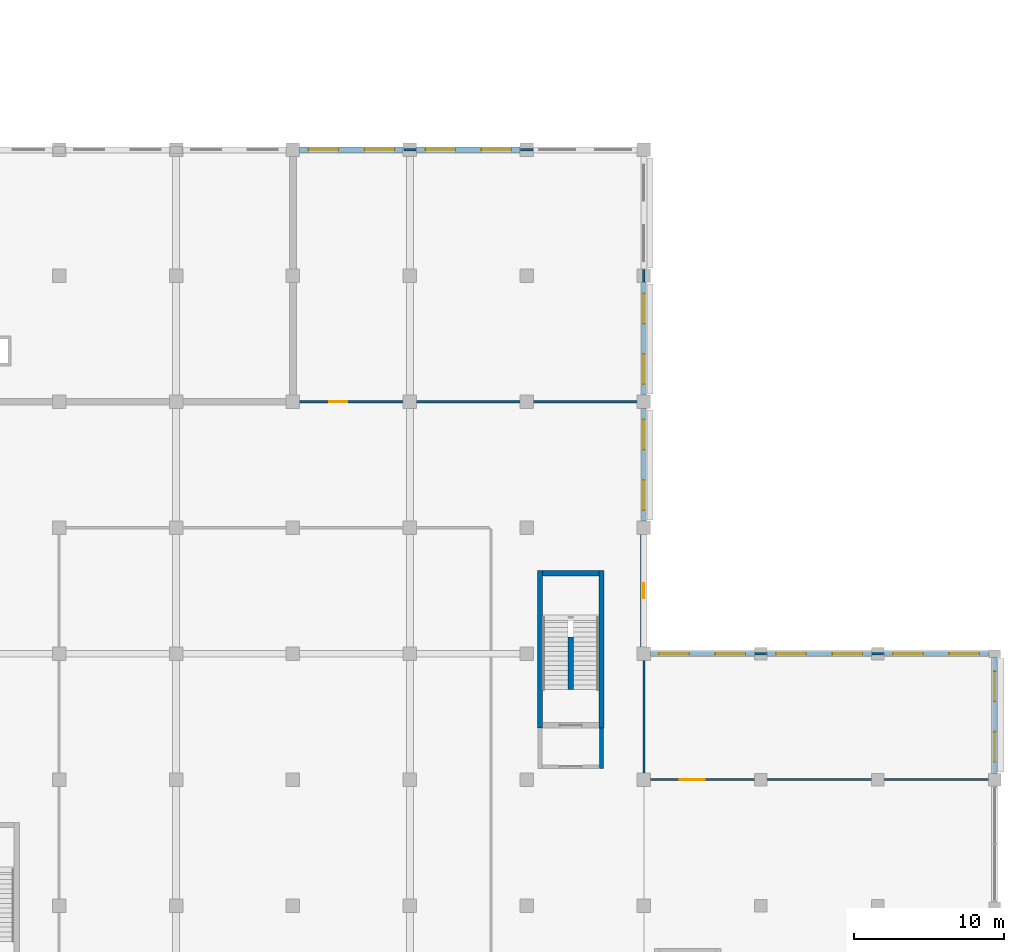
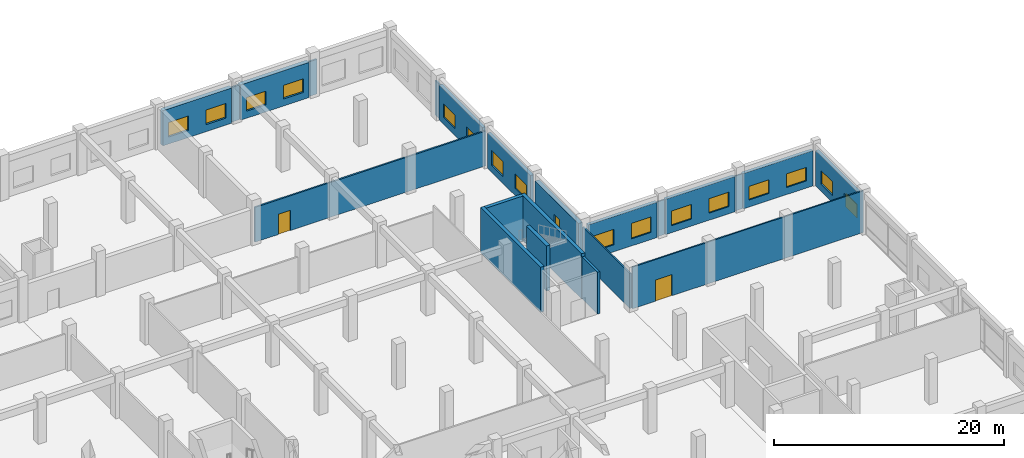
# One storey, part 65 of 79: 22 walls, 17 windows, 2 doors, 19 openings.
"""IFC4 building model written with IfcOpenShell, lengths in metres."""

from ifc_helpers import new_model, si_unit, direction, frame, frame_2d, origin, place, context, subcontext, project, spatial, rectangle, extrude, material, layer, layer_set, type_object, element, fill, save


model = new_model("IFC4")

# Units and contexts
model_context = context("Model", 3, precision=1e-05, world=origin(), true_north=direction((0.0, 1.0)))
body_context = subcontext(model_context, "Body", "Model", "MODEL_VIEW")
ifc_project = project(units=[si_unit("LENGTHUNIT", "METRE"), si_unit("AREAUNIT", "SQUARE_METRE"), si_unit("VOLUMEUNIT", "CUBIC_METRE"), si_unit("PLANEANGLEUNIT", "RADIAN"), si_unit("MASSUNIT", "GRAM", prefix="KILO"), si_unit("THERMODYNAMICTEMPERATUREUNIT", "KELVIN"), si_unit("POWERUNIT", "WATT")], contexts=[model_context])

# Site, building, storey
site_placement = place(None, origin())
site = spatial("IfcSite", under=ifc_project, at=site_placement, CompositionType="ELEMENT")
building_placement = place(site_placement, origin())
building = spatial("IfcBuilding", under=site, at=building_placement, Name="Srebrne Nadtorze General Hospital", CompositionType="ELEMENT")
storey_placement = place(building_placement, frame((0.0, 0.0, 4.800048828125)))
storey = spatial("IfcBuildingStorey", under=building, at=storey_placement, Name="L01", CompositionType="ELEMENT", Elevation=4.800048828125)

# Wall, openings, windows
ifc_material_1 = material(Name="Concrete C40/50", Category="concrete")
ifc_layer_1 = layer(ifc_material_1, 0.419921875)
ifc_layer_set_1 = layer_set([ifc_layer_1], Name="Concrete C40/50")
wall_type_1 = type_object("IfcWallType", Name="Acoustic buffer wall 420", PredefinedType="SOLIDWALL", material=ifc_layer_set_1)
wall_1_placement = place(storey_placement, frame((125.25, 109.199951171875, 0.0), z_axis=(0.0, 0.0, 1.0), x_axis=(1.0, 0.0, 0.0)))
wall_1 = element("IfcWall", 1, at=wall_1_placement, inside=storey, type_object=wall_type_1, Name="Exterior wall WL-ENV-L01-0175", PredefinedType="SOLIDWALL", context=body_context, shape_type="SweptSolid", body=[
    extrude(rectangle(XDim=6.89990234375, YDim=0.419921875, at=frame_2d((3.449951171875, 0.0))), origin(), (0.0, 0.0, 1.0), 3.75),
])
opening_1_placement = place(wall_1_placement, frame((0.577880859375, 0.0, 0.75)))
opening_1 = element("IfcOpeningElement", 2, at=opening_1_placement, cuts=wall_1, Name="Opening WN-L01-0170", PredefinedType="OPENING", context=body_context, shape_type="SweptSolid", body=[
    extrude(rectangle(XDim=2.0, YDim=1.550048828125, at=frame_2d((1.0, 0.77490234375))), frame((0.0, 0.221923828125, 0.0), z_axis=(0.0, -1.0, 0.0), x_axis=(1.0, 0.0, 0.0)), (0.0, 0.0, 1.0), 0.44384765625),
])
opening_2_placement = place(wall_1_placement, frame((4.322021484375, 0.0, 0.75)))
opening_2 = element("IfcOpeningElement", 3, at=opening_2_placement, cuts=wall_1, Name="Opening WN-L01-0171", PredefinedType="OPENING", context=body_context, shape_type="SweptSolid", body=[
    extrude(rectangle(XDim=2.0, YDim=1.550048828125, at=frame_2d((1.0, 0.77490234375))), frame((0.0, 0.221923828125, 0.0), z_axis=(0.0, -1.0, 0.0), x_axis=(1.0, 0.0, 0.0)), (0.0, 0.0, 1.0), 0.44384765625),
])
ifc_material_2 = material(Name="Triple Low-E Glazing", Category="glass")
window_type_1 = type_object("IfcWindowType", Name="Punched clinical window 2000x1550", PartitioningType="DOUBLE_PANEL_VERTICAL", PredefinedType="WINDOW", material=ifc_material_2)
window_1_placement = place(opening_1_placement, origin())
window_1 = element("IfcWindow", 4, at=window_1_placement, inside=storey, type_object=window_type_1, Name="Clinical window WN-L01-0170", OverallHeight=1.550048828125, OverallWidth=2.0, PartitioningType="DOUBLE_PANEL_VERTICAL", PredefinedType="WINDOW", context=body_context, shape_type="SweptSolid", body=[
    extrude(rectangle(XDim=2.0, YDim=1.550048828125, at=frame_2d((1.0, 0.77490234375))), frame((0.0, 0.030029296875, 0.0), z_axis=(0.0, -1.0, 0.0), x_axis=(1.0, 0.0, 0.0)), (0.0, 0.0, 1.0), 0.06005859375),
])
fill(opening_1, window_1)
window_2_placement = place(opening_2_placement, origin())
window_2 = element("IfcWindow", 5, at=window_2_placement, inside=storey, type_object=window_type_1, Name="Clinical window WN-L01-0171", OverallHeight=1.550048828125, OverallWidth=2.0, PartitioningType="DOUBLE_PANEL_VERTICAL", PredefinedType="WINDOW", context=body_context, shape_type="SweptSolid", body=[
    extrude(rectangle(XDim=2.0, YDim=1.550048828125, at=frame_2d((1.0, 0.77490234375))), frame((0.0, 0.030029296875, 0.0), z_axis=(0.0, -1.0, 0.0), x_axis=(1.0, 0.0, 0.0)), (0.0, 0.0, 1.0), 0.06005859375),
])
fill(opening_2, window_2)

wall_2_placement = place(storey_placement, frame((133.050048828125, 109.199951171875, 0.0), z_axis=(0.0, 0.0, 1.0), x_axis=(1.0, 0.0, 0.0)))
wall_2 = element("IfcWall", 6, at=wall_2_placement, inside=storey, type_object=wall_type_1, Name="Exterior wall WL-ENV-L01-0176", PredefinedType="SOLIDWALL", context=body_context, shape_type="SweptSolid", body=[
    extrude(rectangle(XDim=6.89990234375, YDim=0.419921875, at=frame_2d((3.449951171875, 0.0))), origin(), (0.0, 0.0, 1.0), 3.75),
])
opening_3_placement = place(wall_2_placement, frame((0.577880859375, 0.0, 0.75)))
opening_3 = element("IfcOpeningElement", 7, at=opening_3_placement, cuts=wall_2, Name="Opening WN-L01-0172", PredefinedType="OPENING", context=body_context, shape_type="SweptSolid", body=[
    extrude(rectangle(XDim=2.0, YDim=1.449951171875, at=frame_2d((1.0, 0.72509765625))), frame((0.0, 0.221923828125, 0.0), z_axis=(0.0, -1.0, 0.0), x_axis=(1.0, 0.0, 0.0)), (0.0, 0.0, 1.0), 0.44384765625),
])
opening_4_placement = place(wall_2_placement, frame((4.322021484375, 0.0, 0.75)))
opening_4 = element("IfcOpeningElement", 8, at=opening_4_placement, cuts=wall_2, Name="Opening WN-L01-0173", PredefinedType="OPENING", context=body_context, shape_type="SweptSolid", body=[
    extrude(rectangle(XDim=2.0, YDim=1.449951171875, at=frame_2d((1.0, 0.72509765625))), frame((0.0, 0.221923828125, 0.0), z_axis=(0.0, -1.0, 0.0), x_axis=(1.0, 0.0, 0.0)), (0.0, 0.0, 1.0), 0.44384765625),
])
ifc_material_3 = material(Name="Triple Low-E Glazing", Category="glass")
window_type_2 = type_object("IfcWindowType", Name="Punched clinical window 2000x1450", PartitioningType="DOUBLE_PANEL_VERTICAL", PredefinedType="WINDOW", material=ifc_material_3)
window_3_placement = place(opening_3_placement, origin())
window_3 = element("IfcWindow", 9, at=window_3_placement, inside=storey, type_object=window_type_2, Name="Clinical window WN-L01-0172", OverallHeight=1.449951171875, OverallWidth=2.0, PartitioningType="DOUBLE_PANEL_VERTICAL", PredefinedType="WINDOW", context=body_context, shape_type="SweptSolid", body=[
    extrude(rectangle(XDim=2.0, YDim=1.449951171875, at=frame_2d((1.0, 0.72509765625))), frame((0.0, 0.030029296875, 0.0), z_axis=(0.0, -1.0, 0.0), x_axis=(1.0, 0.0, 0.0)), (0.0, 0.0, 1.0), 0.06005859375),
])
fill(opening_3, window_3)
window_4_placement = place(opening_4_placement, origin())
window_4 = element("IfcWindow", 10, at=window_4_placement, inside=storey, type_object=window_type_2, Name="Clinical window WN-L01-0173", OverallHeight=1.449951171875, OverallWidth=2.0, PartitioningType="DOUBLE_PANEL_VERTICAL", PredefinedType="WINDOW", context=body_context, shape_type="SweptSolid", body=[
    extrude(rectangle(XDim=2.0, YDim=1.449951171875, at=frame_2d((1.0, 0.72509765625))), frame((0.0, 0.030029296875, 0.0), z_axis=(0.0, -1.0, 0.0), x_axis=(1.0, 0.0, 0.0)), (0.0, 0.0, 1.0), 0.06005859375),
])
fill(opening_4, window_4)

# Wall, opening, window
wall_3_placement = place(storey_placement, frame((148.199951171875, 76.050048828125, 0.0), z_axis=(0.0, 0.0, 1.0), x_axis=(0.0, 1.0, 0.0)))
wall_3 = element("IfcWall", 11, at=wall_3_placement, inside=storey, type_object=wall_type_1, Name="Exterior wall WL-ENV-L01-0207", PredefinedType="SOLIDWALL", context=body_context, shape_type="SweptSolid", body=[
    extrude(rectangle(XDim=7.5, YDim=0.419921875, at=frame_2d((3.75, 0.0))), origin(), (0.0, 0.0, 1.0), 3.75),
])
opening_5_placement = place(wall_3_placement, frame((3.25, 0.0, 0.75)))
opening_5 = element("IfcOpeningElement", 12, at=opening_5_placement, cuts=wall_3, Name="Opening WN-L01-0237", PredefinedType="OPENING", context=body_context, shape_type="SweptSolid", body=[
    extrude(rectangle(XDim=1.0, YDim=1.449951171875, at=frame_2d((0.5, 0.72509765625))), frame((0.0, 0.221923828125, 0.0), z_axis=(0.0, -1.0, 0.0), x_axis=(1.0, 0.0, 0.0)), (0.0, 0.0, 1.0), 0.44384765625),
])
ifc_material_4 = material(Name="Triple Low-E Glazing", Category="glass")
window_type_3 = type_object("IfcWindowType", Name="Punched clinical window 1000x1450", PartitioningType="SINGLE_PANEL", PredefinedType="WINDOW", material=ifc_material_4)
window_5_placement = place(opening_5_placement, origin())
window_5 = element("IfcWindow", 13, at=window_5_placement, inside=storey, type_object=window_type_3, Name="Clinical window WN-L01-0237", OverallHeight=1.449951171875, OverallWidth=1.0, PartitioningType="SINGLE_PANEL", PredefinedType="WINDOW", context=body_context, shape_type="SweptSolid", body=[
    extrude(rectangle(XDim=1.0, YDim=1.449951171875, at=frame_2d((0.5, 0.72509765625))), frame((0.0, 0.030029296875, 0.0), z_axis=(0.0, -1.0, 0.0), x_axis=(1.0, 0.0, 0.0)), (0.0, 0.0, 1.0), 0.06005859375),
])
fill(opening_5, window_5)

# Wall, opening, door
ifc_material_5 = material(Name="Gypsum Healthcare Partition")
ifc_layer_2 = layer(ifc_material_5, 0.139892578125)
ifc_layer_set_2 = layer_set([ifc_layer_2], Name="Gypsum Healthcare Partition")
wall_type_2 = type_object("IfcWallType", Name="Clinical partition 140", PredefinedType="PARTITIONING", material=ifc_layer_set_2)
wall_4_placement = place(storey_placement, frame((148.284912109375, 67.199951171875, 0.0), z_axis=(0.0, 0.0, 1.0), x_axis=(1.0, 0.0, 0.0)))
wall_4 = element("IfcWall", 14, at=wall_4_placement, inside=storey, type_object=wall_type_2, Name="Bronchoscopy Procedure Suite wall WL-INT-L01-1461", PredefinedType="PARTITIONING", context=body_context, shape_type="SweptSolid", body=[
    extrude(rectangle(XDim=23.22998046875, YDim=0.139892578125, at=frame_2d((11.614990234375, 0.0))), origin(), (0.0, 0.0, 1.0), 4.429931640625),
])
opening_6_placement = place(wall_4_placement, frame((2.323486328125, 0.0, 0.0)))
opening_6 = element("IfcOpeningElement", 15, at=opening_6_placement, cuts=wall_4, Name="Opening D-L01-0230", PredefinedType="OPENING", context=body_context, shape_type="SweptSolid", body=[
    extrude(rectangle(XDim=1.64990234375, YDim=2.25, at=frame_2d((0.824951171875, 1.125))), frame((0.0, 0.08203125, 0.0), z_axis=(0.0, -1.0, 0.0), x_axis=(1.0, 0.0, 0.0)), (0.0, 0.0, 1.0), 0.163818359375),
])
ifc_material_6 = material(Name="Anodised Aluminium", Category="aluminium")
door_type_1 = type_object("IfcDoorType", Name="Double leaf door 1650x2250", OperationType="DOUBLE_DOOR_SINGLE_SWING", PredefinedType="DOOR", material=ifc_material_6)
door_1_placement = place(opening_6_placement, origin())
door_1 = element("IfcDoor", 16, at=door_1_placement, inside=storey, type_object=door_type_1, Name="Bronchoscopy Procedure Suite door D-L01-0230", OperationType="DOUBLE_DOOR_SINGLE_SWING", OverallHeight=2.25, OverallWidth=1.64990234375, PredefinedType="DOOR", context=body_context, shape_type="SweptSolid", body=[
    extrude(rectangle(XDim=1.64990234375, YDim=2.25, at=frame_2d((0.824951171875, 1.125))), frame((0.0, 0.02490234375, 0.0), z_axis=(0.0, -1.0, 0.0), x_axis=(1.0, 0.0, 0.0)), (0.0, 0.0, 1.0), 0.050048828125),
])
fill(opening_6, door_1)

# Walls
for number, where, z_axis, x_axis, name in (
    (17, (155.614990234375, 75.60009765625, 0.0), (0.0, 0.0, 1.0), (1.0, 0.0, 0.0), "Bronchoscopy Procedure Suite wall WL-INT-L01-1462"),
    (18, (163.4150390625, 75.60009765625, 0.0), (0.0, 0.0, 1.0), (1.0, 0.0, 0.0), "Bronchoscopy Procedure Suite wall WL-INT-L01-1463"),
):
    element("IfcWall", number, at=place(storey_placement, frame(where, z_axis=z_axis, x_axis=x_axis)), inside=storey, type_object=wall_type_2, Name=name, PredefinedType="PARTITIONING", context=body_context, shape_type="SweptSolid", body=[
        extrude(rectangle(XDim=0.77001953125, YDim=0.139892578125, at=frame_2d((0.385009765625, 0.0))), origin(), (0.0, 0.0, 1.0), 3.699951171875),
    ])
wall_5_placement = place(storey_placement, frame((148.199951171875, 67.284912109375, 0.0), z_axis=(0.0, 0.0, 1.0), x_axis=(0.0, 1.0, 0.0)))
element("IfcWall", 19, at=wall_5_placement, inside=storey, type_object=wall_type_2, Name="Bronchoscopy Procedure Suite wall WL-INT-L01-1464", PredefinedType="PARTITIONING", context=body_context, shape_type="SweptSolid", body=[
    extrude(rectangle(XDim=8.22998046875, YDim=0.139892578125, at=frame_2d((4.114990234375, 0.0))), origin(), (0.0, 0.0, 1.0), 3.699951171875),
])

# Wall, opening, door
ifc_material_7 = material(Name="Gypsum Healthcare Partition")
ifc_layer_3 = layer(ifc_material_7, 0.159912109375)
ifc_layer_set_3 = layer_set([ifc_layer_3], Name="Gypsum Healthcare Partition")
wall_type_3 = type_object("IfcWallType", Name="Clinical partition 160", PredefinedType="PARTITIONING", material=ifc_layer_set_3)
wall_6_placement = place(storey_placement, frame((124.885009765625, 92.39990234375, 0.0), z_axis=(0.0, 0.0, 1.0), x_axis=(1.0, 0.0, 0.0)))
wall_6 = element("IfcWall", 20, at=wall_6_placement, inside=storey, type_object=wall_type_3, Name="Diagnostic Imaging Ultrasound wall WL-INT-L01-1431", PredefinedType="PARTITIONING", context=body_context, shape_type="SweptSolid", body=[
    extrude(rectangle(XDim=23.22998046875, YDim=0.159912109375, at=frame_2d((11.614990234375, 0.0))), origin(), (0.0, 0.0, 1.0), 3.699951171875),
])
opening_7_placement = place(wall_6_placement, frame((2.33837890625, 0.0, 0.0)))
opening_7 = element("IfcOpeningElement", 21, at=opening_7_placement, cuts=wall_6, Name="Opening D-L01-0223", PredefinedType="OPENING", context=body_context, shape_type="SweptSolid", body=[
    extrude(rectangle(XDim=1.199951171875, YDim=2.14990234375, at=frame_2d((0.60009765625, 1.074951171875))), frame((0.0, 0.091796875, 0.0), z_axis=(0.0, -1.0, 0.0), x_axis=(1.0, 0.0, 0.0)), (0.0, 0.0, 1.0), 0.183837890625),
])
ifc_material_8 = material(Name="Anodised Aluminium", Category="aluminium")
door_type_2 = type_object("IfcDoorType", Name="Single leaf door 1200x2150", OperationType="NOTDEFINED", PredefinedType="DOOR", material=ifc_material_8)
door_2_placement = place(opening_7_placement, origin())
door_2 = element("IfcDoor", 22, at=door_2_placement, inside=storey, type_object=door_type_2, Name="Diagnostic Imaging Ultrasound door D-L01-0223", OperationType="SINGLE_SWING_LEFT", OverallHeight=2.14990234375, OverallWidth=1.199951171875, PredefinedType="DOOR", context=body_context, shape_type="SweptSolid", body=[
    extrude(rectangle(XDim=1.199951171875, YDim=2.14990234375, at=frame_2d((0.60009765625, 1.074951171875))), frame((0.0, 0.02490234375, 0.0), z_axis=(0.0, -1.0, 0.0), x_axis=(1.0, 0.0, 0.0)), (0.0, 0.0, 1.0), 0.050048828125),
])
fill(opening_7, door_2)

# Walls
for number, where, z_axis, x_axis, name in (
    (23, (132.18994140625, 109.199951171875, 0.0), (0.0, 0.0, 1.0), (1.0, 0.0, 0.0), "Diagnostic Imaging Ultrasound wall WL-INT-L01-1432"),
    (24, (139.989990234375, 109.199951171875, 0.0), (0.0, 0.0, 1.0), (1.0, 0.0, 0.0), "Diagnostic Imaging Ultrasound wall WL-INT-L01-1433"),
    (25, (148.199951171875, 100.389892578125, 0.0), (0.0, 0.0, 1.0), (0.0, 1.0, 0.0), "Diagnostic Imaging Ultrasound wall WL-INT-L01-1434"),
):
    element("IfcWall", number, at=place(storey_placement, frame(where, z_axis=z_axis, x_axis=x_axis)), inside=storey, type_object=wall_type_3, Name=name, PredefinedType="PARTITIONING", context=body_context, shape_type="SweptSolid", body=[
        extrude(rectangle(XDim=0.820068359375, YDim=0.159912109375, at=frame_2d((0.41015625, 0.0))), origin(), (0.0, 0.0, 1.0), 3.699951171875),
    ])
ifc_material_9 = material(Name="Gypsum Healthcare Partition")
ifc_layer_4 = layer(ifc_material_9, 0.239990234375)
ifc_layer_set_4 = layer_set([ifc_layer_4], Name="Gypsum Healthcare Partition")
wall_type_4 = type_object("IfcWallType", Name="Corridor fire wall 240", PredefinedType="STANDARD", material=ifc_layer_set_4)
wall_7_placement = place(storey_placement, frame((145.375, 67.955078125, 0.0), z_axis=(0.0, 0.0, 1.0), x_axis=(0.0, 1.0, 0.0)))
element("IfcWall", 26, at=wall_7_placement, inside=storey, type_object=wall_type_4, Name="Fire lobby wall ST-04 WL-INT-L01-0158", PredefinedType="STANDARD", context=body_context, shape_type="SweptSolid", body=[
    extrude(rectangle(XDim=2.69482421875, YDim=0.239990234375, at=frame_2d((1.347412109375, 0.0))), origin(), (0.0, 0.0, 1.0), 4.449951171875),
])
ifc_material_10 = material(Name="Concrete C40/50", Category="concrete")
ifc_layer_5 = layer(ifc_material_10, 0.35009765625)
ifc_layer_set_5 = layer_set([ifc_layer_5], Name="Concrete C40/50")
wall_type_5 = type_object("IfcWallType", Name="Shear core wall 350", PredefinedType="SHEAR", material=ifc_layer_set_5)
for number, where, z_axis, x_axis, name in (
    (27, (141.27490234375, 70.64990234375, 0.0), (0.0, 0.0, 1.0), (0.0, 1.0, 0.0), "Stair core wall ST-04 WL-INT-L01-0153"),
    (28, (145.375, 70.64990234375, 0.0), (0.0, 0.0, 1.0), (0.0, 1.0, 0.0), "Stair core wall ST-04 WL-INT-L01-0154"),
):
    element("IfcWall", number, at=place(storey_placement, frame(where, z_axis=z_axis, x_axis=x_axis)), inside=storey, type_object=wall_type_5, Name=name, PredefinedType="SHEAR", context=body_context, shape_type="SweptSolid", body=[
        extrude(rectangle(XDim=10.5, YDim=0.35009765625, at=frame_2d((5.25, 0.0))), origin(), (0.0, 0.0, 1.0), 4.800048828125),
    ])
wall_8_placement = place(storey_placement, frame((141.449951171875, 80.97509765625, 0.0), z_axis=(0.0, 0.0, 1.0), x_axis=(1.0, 0.0, 0.0)))
element("IfcWall", 29, at=wall_8_placement, inside=storey, type_object=wall_type_5, Name="Stair core wall ST-04 WL-INT-L01-0155", PredefinedType="SHEAR", context=body_context, shape_type="SweptSolid", body=[
    extrude(rectangle(XDim=3.75, YDim=0.35009765625, at=frame_2d((1.875, 0.0))), origin(), (0.0, 0.0, 1.0), 4.800048828125),
])
wall_9_placement = place(storey_placement, frame((143.324951171875, 73.199951171875, 0.0), z_axis=(0.0, 0.0, 1.0), x_axis=(0.0, 1.0, 0.0)))
element("IfcWall", 30, at=wall_9_placement, inside=storey, type_object=wall_type_5, Name="Stair spine wall ST-04 WL-INT-L01-0160", PredefinedType="SHEAR", context=body_context, shape_type="SweptSolid", body=[
    extrude(rectangle(XDim=3.52001953125, YDim=0.35009765625, at=frame_2d((1.760009765625, 0.0))), origin(), (0.0, 0.0, 1.0), 4.800048828125),
])

# Wall, openings, windows
ifc_material_11 = material(Name="Concrete C35/45", Category="concrete")
ifc_layer_6 = layer(ifc_material_11, 0.320068359375)
ifc_layer_set_6 = layer_set([ifc_layer_6], Name="Concrete C35/45")
wall_type_6 = type_object("IfcWallType", Name="Spandrel wall 320", PredefinedType="STANDARD", material=ifc_layer_set_6)
wall_10_placement = place(storey_placement, frame((148.64990234375, 75.60009765625, 0.0), z_axis=(0.0, 0.0, 1.0), x_axis=(1.0, 0.0, 0.0)))
wall_10 = element("IfcWall", 31, at=wall_10_placement, inside=storey, type_object=wall_type_6, Name="Exterior wall WL-ENV-L01-0162", PredefinedType="STANDARD", context=body_context, shape_type="SweptSolid", body=[
    extrude(rectangle(XDim=6.925048828125, YDim=0.320068359375, at=frame_2d((3.46240234375, 0.0))), origin(), (0.0, 0.0, 1.0), 3.75),
])
opening_8_placement = place(wall_10_placement, frame((0.577880859375, 0.0, 0.75)))
opening_8 = element("IfcOpeningElement", 32, at=opening_8_placement, cuts=wall_10, Name="Opening WN-L01-0144", PredefinedType="OPENING", context=body_context, shape_type="SweptSolid", body=[
    extrude(rectangle(XDim=2.0, YDim=1.64990234375, at=frame_2d((1.0, 0.824951171875))), frame((0.0, 0.171875, 0.0), z_axis=(0.0, -1.0, 0.0), x_axis=(1.0, 0.0, 0.0)), (0.0, 0.0, 1.0), 0.343994140625),
])
opening_9_placement = place(wall_10_placement, frame((4.322021484375, 0.0, 0.75)))
opening_9 = element("IfcOpeningElement", 33, at=opening_9_placement, cuts=wall_10, Name="Opening WN-L01-0145", PredefinedType="OPENING", context=body_context, shape_type="SweptSolid", body=[
    extrude(rectangle(XDim=2.0, YDim=1.64990234375, at=frame_2d((1.0, 0.824951171875))), frame((0.0, 0.171875, 0.0), z_axis=(0.0, -1.0, 0.0), x_axis=(1.0, 0.0, 0.0)), (0.0, 0.0, 1.0), 0.343994140625),
])
ifc_material_12 = material(Name="Triple Low-E Glazing", Category="glass")
window_type_4 = type_object("IfcWindowType", Name="Punched clinical window 2000x1650", PartitioningType="DOUBLE_PANEL_VERTICAL", PredefinedType="WINDOW", material=ifc_material_12)
window_6_placement = place(opening_8_placement, origin())
window_6 = element("IfcWindow", 34, at=window_6_placement, inside=storey, type_object=window_type_4, Name="Clinical window WN-L01-0144", OverallHeight=1.64990234375, OverallWidth=2.0, PartitioningType="DOUBLE_PANEL_VERTICAL", PredefinedType="WINDOW", context=body_context, shape_type="SweptSolid", body=[
    extrude(rectangle(XDim=2.0, YDim=1.64990234375, at=frame_2d((1.0, 0.824951171875))), frame((0.0, 0.030029296875, 0.0), z_axis=(0.0, -1.0, 0.0), x_axis=(1.0, 0.0, 0.0)), (0.0, 0.0, 1.0), 0.06005859375),
])
fill(opening_8, window_6)
window_7_placement = place(opening_9_placement, origin())
window_7 = element("IfcWindow", 35, at=window_7_placement, inside=storey, type_object=window_type_4, Name="Clinical window WN-L01-0145", OverallHeight=1.64990234375, OverallWidth=2.0, PartitioningType="DOUBLE_PANEL_VERTICAL", PredefinedType="WINDOW", context=body_context, shape_type="SweptSolid", body=[
    extrude(rectangle(XDim=2.0, YDim=1.64990234375, at=frame_2d((1.0, 0.824951171875))), frame((0.0, 0.030029296875, 0.0), z_axis=(0.0, -1.0, 0.0), x_axis=(1.0, 0.0, 0.0)), (0.0, 0.0, 1.0), 0.06005859375),
])
fill(opening_9, window_7)

wall_11_placement = place(storey_placement, frame((156.425048828125, 75.60009765625, 0.0), z_axis=(0.0, 0.0, 1.0), x_axis=(1.0, 0.0, 0.0)))
wall_11 = element("IfcWall", 36, at=wall_11_placement, inside=storey, type_object=wall_type_6, Name="Exterior wall WL-ENV-L01-0163", PredefinedType="STANDARD", context=body_context, shape_type="SweptSolid", body=[
    extrude(rectangle(XDim=6.949951171875, YDim=0.320068359375, at=frame_2d((3.47509765625, 0.0))), origin(), (0.0, 0.0, 1.0), 3.75),
])
opening_10_placement = place(wall_11_placement, frame((0.60302734375, 0.0, 0.75)))
opening_10 = element("IfcOpeningElement", 37, at=opening_10_placement, cuts=wall_11, Name="Opening WN-L01-0146", PredefinedType="OPENING", context=body_context, shape_type="SweptSolid", body=[
    extrude(rectangle(XDim=2.0, YDim=1.550048828125, at=frame_2d((1.0, 0.77490234375))), frame((0.0, 0.171875, 0.0), z_axis=(0.0, -1.0, 0.0), x_axis=(1.0, 0.0, 0.0)), (0.0, 0.0, 1.0), 0.343994140625),
])
opening_11_placement = place(wall_11_placement, frame((4.346923828125, 0.0, 0.75)))
opening_11 = element("IfcOpeningElement", 38, at=opening_11_placement, cuts=wall_11, Name="Opening WN-L01-0147", PredefinedType="OPENING", context=body_context, shape_type="SweptSolid", body=[
    extrude(rectangle(XDim=2.0, YDim=1.550048828125, at=frame_2d((1.0, 0.77490234375))), frame((0.0, 0.171875, 0.0), z_axis=(0.0, -1.0, 0.0), x_axis=(1.0, 0.0, 0.0)), (0.0, 0.0, 1.0), 0.343994140625),
])
window_8_placement = place(opening_10_placement, origin())
window_8 = element("IfcWindow", 39, at=window_8_placement, inside=storey, type_object=window_type_1, Name="Clinical window WN-L01-0146", OverallHeight=1.550048828125, OverallWidth=2.0, PartitioningType="DOUBLE_PANEL_VERTICAL", PredefinedType="WINDOW", context=body_context, shape_type="SweptSolid", body=[
    extrude(rectangle(XDim=2.0, YDim=1.550048828125, at=frame_2d((1.0, 0.77490234375))), frame((0.0, 0.030029296875, 0.0), z_axis=(0.0, -1.0, 0.0), x_axis=(1.0, 0.0, 0.0)), (0.0, 0.0, 1.0), 0.06005859375),
])
fill(opening_10, window_8)
window_9_placement = place(opening_11_placement, origin())
window_9 = element("IfcWindow", 40, at=window_9_placement, inside=storey, type_object=window_type_1, Name="Clinical window WN-L01-0147", OverallHeight=1.550048828125, OverallWidth=2.0, PartitioningType="DOUBLE_PANEL_VERTICAL", PredefinedType="WINDOW", context=body_context, shape_type="SweptSolid", body=[
    extrude(rectangle(XDim=2.0, YDim=1.550048828125, at=frame_2d((1.0, 0.77490234375))), frame((0.0, 0.030029296875, 0.0), z_axis=(0.0, -1.0, 0.0), x_axis=(1.0, 0.0, 0.0)), (0.0, 0.0, 1.0), 0.06005859375),
])
fill(opening_11, window_9)

wall_12_placement = place(storey_placement, frame((164.22509765625, 75.60009765625, 0.0), z_axis=(0.0, 0.0, 1.0), x_axis=(1.0, 0.0, 0.0)))
wall_12 = element("IfcWall", 41, at=wall_12_placement, inside=storey, type_object=wall_type_6, Name="Exterior wall WL-ENV-L01-0164", PredefinedType="STANDARD", context=body_context, shape_type="SweptSolid", body=[
    extrude(rectangle(XDim=7.0, YDim=0.320068359375, at=frame_2d((3.5, 0.0))), origin(), (0.0, 0.0, 1.0), 3.75),
])
opening_12_placement = place(wall_12_placement, frame((0.60302734375, 0.0, 0.75)))
opening_12 = element("IfcOpeningElement", 42, at=opening_12_placement, cuts=wall_12, Name="Opening WN-L01-0148", PredefinedType="OPENING", context=body_context, shape_type="SweptSolid", body=[
    extrude(rectangle(XDim=2.0, YDim=1.449951171875, at=frame_2d((1.0, 0.72509765625))), frame((0.0, 0.171875, 0.0), z_axis=(0.0, -1.0, 0.0), x_axis=(1.0, 0.0, 0.0)), (0.0, 0.0, 1.0), 0.343994140625),
])
opening_13_placement = place(wall_12_placement, frame((4.346923828125, 0.0, 0.75)))
opening_13 = element("IfcOpeningElement", 43, at=opening_13_placement, cuts=wall_12, Name="Opening WN-L01-0149", PredefinedType="OPENING", context=body_context, shape_type="SweptSolid", body=[
    extrude(rectangle(XDim=2.0, YDim=1.449951171875, at=frame_2d((1.0, 0.72509765625))), frame((0.0, 0.171875, 0.0), z_axis=(0.0, -1.0, 0.0), x_axis=(1.0, 0.0, 0.0)), (0.0, 0.0, 1.0), 0.343994140625),
])
window_10_placement = place(opening_12_placement, origin())
window_10 = element("IfcWindow", 44, at=window_10_placement, inside=storey, type_object=window_type_2, Name="Clinical window WN-L01-0148", OverallHeight=1.449951171875, OverallWidth=2.0, PartitioningType="DOUBLE_PANEL_VERTICAL", PredefinedType="WINDOW", context=body_context, shape_type="SweptSolid", body=[
    extrude(rectangle(XDim=2.0, YDim=1.449951171875, at=frame_2d((1.0, 0.72509765625))), frame((0.0, 0.030029296875, 0.0), z_axis=(0.0, -1.0, 0.0), x_axis=(1.0, 0.0, 0.0)), (0.0, 0.0, 1.0), 0.06005859375),
])
fill(opening_12, window_10)
window_11_placement = place(opening_13_placement, origin())
window_11 = element("IfcWindow", 45, at=window_11_placement, inside=storey, type_object=window_type_2, Name="Clinical window WN-L01-0149", OverallHeight=1.449951171875, OverallWidth=2.0, PartitioningType="DOUBLE_PANEL_VERTICAL", PredefinedType="WINDOW", context=body_context, shape_type="SweptSolid", body=[
    extrude(rectangle(XDim=2.0, YDim=1.449951171875, at=frame_2d((1.0, 0.72509765625))), frame((0.0, 0.030029296875, 0.0), z_axis=(0.0, -1.0, 0.0), x_axis=(1.0, 0.0, 0.0)), (0.0, 0.0, 1.0), 0.06005859375),
])
fill(opening_13, window_11)

wall_13_placement = place(storey_placement, frame((148.199951171875, 84.449951171875, 0.0), z_axis=(0.0, 0.0, 1.0), x_axis=(0.0, 1.0, 0.0)))
wall_13 = element("IfcWall", 46, at=wall_13_placement, inside=storey, type_object=wall_type_6, Name="Exterior wall WL-ENV-L01-0208", PredefinedType="STANDARD", context=body_context, shape_type="SweptSolid", body=[
    extrude(rectangle(XDim=7.5, YDim=0.320068359375, at=frame_2d((3.75, 0.0))), origin(), (0.0, 0.0, 1.0), 3.75),
])
opening_14_placement = place(wall_13_placement, frame((0.73388671875, 0.0, 0.75)))
opening_14 = element("IfcOpeningElement", 47, at=opening_14_placement, cuts=wall_13, Name="Opening WN-L01-0238", PredefinedType="OPENING", context=body_context, shape_type="SweptSolid", body=[
    extrude(rectangle(XDim=2.0, YDim=1.550048828125, at=frame_2d((1.0, 0.77490234375))), frame((0.0, 0.171875, 0.0), z_axis=(0.0, -1.0, 0.0), x_axis=(1.0, 0.0, 0.0)), (0.0, 0.0, 1.0), 0.343994140625),
])
opening_15_placement = place(wall_13_placement, frame((4.76611328125, 0.0, 0.75)))
opening_15 = element("IfcOpeningElement", 48, at=opening_15_placement, cuts=wall_13, Name="Opening WN-L01-0239", PredefinedType="OPENING", context=body_context, shape_type="SweptSolid", body=[
    extrude(rectangle(XDim=2.0, YDim=1.550048828125, at=frame_2d((1.0, 0.77490234375))), frame((0.0, 0.171875, 0.0), z_axis=(0.0, -1.0, 0.0), x_axis=(1.0, 0.0, 0.0)), (0.0, 0.0, 1.0), 0.343994140625),
])
window_12_placement = place(opening_14_placement, origin())
window_12 = element("IfcWindow", 49, at=window_12_placement, inside=storey, type_object=window_type_1, Name="Clinical window WN-L01-0238", OverallHeight=1.550048828125, OverallWidth=2.0, PartitioningType="DOUBLE_PANEL_VERTICAL", PredefinedType="WINDOW", context=body_context, shape_type="SweptSolid", body=[
    extrude(rectangle(XDim=2.0, YDim=1.550048828125, at=frame_2d((1.0, 0.77490234375))), frame((0.0, 0.030029296875, 0.0), z_axis=(0.0, -1.0, 0.0), x_axis=(1.0, 0.0, 0.0)), (0.0, 0.0, 1.0), 0.06005859375),
])
fill(opening_14, window_12)
window_13_placement = place(opening_15_placement, origin())
window_13 = element("IfcWindow", 50, at=window_13_placement, inside=storey, type_object=window_type_1, Name="Clinical window WN-L01-0239", OverallHeight=1.550048828125, OverallWidth=2.0, PartitioningType="DOUBLE_PANEL_VERTICAL", PredefinedType="WINDOW", context=body_context, shape_type="SweptSolid", body=[
    extrude(rectangle(XDim=2.0, YDim=1.550048828125, at=frame_2d((1.0, 0.77490234375))), frame((0.0, 0.030029296875, 0.0), z_axis=(0.0, -1.0, 0.0), x_axis=(1.0, 0.0, 0.0)), (0.0, 0.0, 1.0), 0.06005859375),
])
fill(opening_15, window_13)

wall_14_placement = place(storey_placement, frame((148.199951171875, 92.85009765625, 0.0), z_axis=(0.0, 0.0, 1.0), x_axis=(0.0, 1.0, 0.0)))
wall_14 = element("IfcWall", 51, at=wall_14_placement, inside=storey, type_object=wall_type_6, Name="Exterior wall WL-ENV-L01-0209", PredefinedType="STANDARD", context=body_context, shape_type="SweptSolid", body=[
    extrude(rectangle(XDim=7.5, YDim=0.320068359375, at=frame_2d((3.75, 0.0))), origin(), (0.0, 0.0, 1.0), 3.75),
])
opening_16_placement = place(wall_14_placement, frame((0.73388671875, 0.0, 0.75)))
opening_16 = element("IfcOpeningElement", 52, at=opening_16_placement, cuts=wall_14, Name="Opening WN-L01-0240", PredefinedType="OPENING", context=body_context, shape_type="SweptSolid", body=[
    extrude(rectangle(XDim=2.0, YDim=1.449951171875, at=frame_2d((1.0, 0.72509765625))), frame((0.0, 0.171875, 0.0), z_axis=(0.0, -1.0, 0.0), x_axis=(1.0, 0.0, 0.0)), (0.0, 0.0, 1.0), 0.343994140625),
])
opening_17_placement = place(wall_14_placement, frame((4.76611328125, 0.0, 0.75)))
opening_17 = element("IfcOpeningElement", 53, at=opening_17_placement, cuts=wall_14, Name="Opening WN-L01-0241", PredefinedType="OPENING", context=body_context, shape_type="SweptSolid", body=[
    extrude(rectangle(XDim=2.0, YDim=1.449951171875, at=frame_2d((1.0, 0.72509765625))), frame((0.0, 0.171875, 0.0), z_axis=(0.0, -1.0, 0.0), x_axis=(1.0, 0.0, 0.0)), (0.0, 0.0, 1.0), 0.343994140625),
])
window_14_placement = place(opening_16_placement, origin())
window_14 = element("IfcWindow", 54, at=window_14_placement, inside=storey, type_object=window_type_2, Name="Clinical window WN-L01-0240", OverallHeight=1.449951171875, OverallWidth=2.0, PartitioningType="DOUBLE_PANEL_VERTICAL", PredefinedType="WINDOW", context=body_context, shape_type="SweptSolid", body=[
    extrude(rectangle(XDim=2.0, YDim=1.449951171875, at=frame_2d((1.0, 0.72509765625))), frame((0.0, 0.030029296875, 0.0), z_axis=(0.0, -1.0, 0.0), x_axis=(1.0, 0.0, 0.0)), (0.0, 0.0, 1.0), 0.06005859375),
])
fill(opening_16, window_14)
window_15_placement = place(opening_17_placement, origin())
window_15 = element("IfcWindow", 55, at=window_15_placement, inside=storey, type_object=window_type_2, Name="Clinical window WN-L01-0241", OverallHeight=1.449951171875, OverallWidth=2.0, PartitioningType="DOUBLE_PANEL_VERTICAL", PredefinedType="WINDOW", context=body_context, shape_type="SweptSolid", body=[
    extrude(rectangle(XDim=2.0, YDim=1.449951171875, at=frame_2d((1.0, 0.72509765625))), frame((0.0, 0.030029296875, 0.0), z_axis=(0.0, -1.0, 0.0), x_axis=(1.0, 0.0, 0.0)), (0.0, 0.0, 1.0), 0.06005859375),
])
fill(opening_17, window_15)

wall_15_placement = place(storey_placement, frame((171.60009765625, 67.625, 0.0), z_axis=(0.0, 0.0, 1.0), x_axis=(0.0, 1.0, 0.0)))
wall_15 = element("IfcWall", 56, at=wall_15_placement, inside=storey, type_object=wall_type_6, Name="Exterior wall WL-ENV-L01-0213", PredefinedType="STANDARD", context=body_context, shape_type="SweptSolid", body=[
    extrude(rectangle(XDim=7.72509765625, YDim=0.320068359375, at=frame_2d((3.862548828125, 0.0))), origin(), (0.0, 0.0, 1.0), 3.75),
])
opening_18_placement = place(wall_15_placement, frame((0.759033203125, 0.0, 0.75)))
opening_18 = element("IfcOpeningElement", 57, at=opening_18_placement, cuts=wall_15, Name="Opening WN-L01-0248", PredefinedType="OPENING", context=body_context, shape_type="SweptSolid", body=[
    extrude(rectangle(XDim=2.0, YDim=1.449951171875, at=frame_2d((1.0, 0.72509765625))), frame((0.0, 0.171875, 0.0), z_axis=(0.0, -1.0, 0.0), x_axis=(1.0, 0.0, 0.0)), (0.0, 0.0, 1.0), 0.343994140625),
])
opening_19_placement = place(wall_15_placement, frame((4.791015625, 0.0, 0.75)))
opening_19 = element("IfcOpeningElement", 58, at=opening_19_placement, cuts=wall_15, Name="Opening WN-L01-0249", PredefinedType="OPENING", context=body_context, shape_type="SweptSolid", body=[
    extrude(rectangle(XDim=2.0, YDim=1.449951171875, at=frame_2d((1.0, 0.72509765625))), frame((0.0, 0.171875, 0.0), z_axis=(0.0, -1.0, 0.0), x_axis=(1.0, 0.0, 0.0)), (0.0, 0.0, 1.0), 0.343994140625),
])
window_16_placement = place(opening_18_placement, origin())
window_16 = element("IfcWindow", 59, at=window_16_placement, inside=storey, type_object=window_type_2, Name="Clinical window WN-L01-0248", OverallHeight=1.449951171875, OverallWidth=2.0, PartitioningType="DOUBLE_PANEL_VERTICAL", PredefinedType="WINDOW", context=body_context, shape_type="SweptSolid", body=[
    extrude(rectangle(XDim=2.0, YDim=1.449951171875, at=frame_2d((1.0, 0.72509765625))), frame((0.0, 0.030029296875, 0.0), z_axis=(0.0, -1.0, 0.0), x_axis=(1.0, 0.0, 0.0)), (0.0, 0.0, 1.0), 0.06005859375),
])
fill(opening_18, window_16)
window_17_placement = place(opening_19_placement, origin())
window_17 = element("IfcWindow", 60, at=window_17_placement, inside=storey, type_object=window_type_2, Name="Clinical window WN-L01-0249", OverallHeight=1.449951171875, OverallWidth=2.0, PartitioningType="DOUBLE_PANEL_VERTICAL", PredefinedType="WINDOW", context=body_context, shape_type="SweptSolid", body=[
    extrude(rectangle(XDim=2.0, YDim=1.449951171875, at=frame_2d((1.0, 0.72509765625))), frame((0.0, 0.030029296875, 0.0), z_axis=(0.0, -1.0, 0.0), x_axis=(1.0, 0.0, 0.0)), (0.0, 0.0, 1.0), 0.06005859375),
])
fill(opening_19, window_17)

save(model, "model.ifc")
